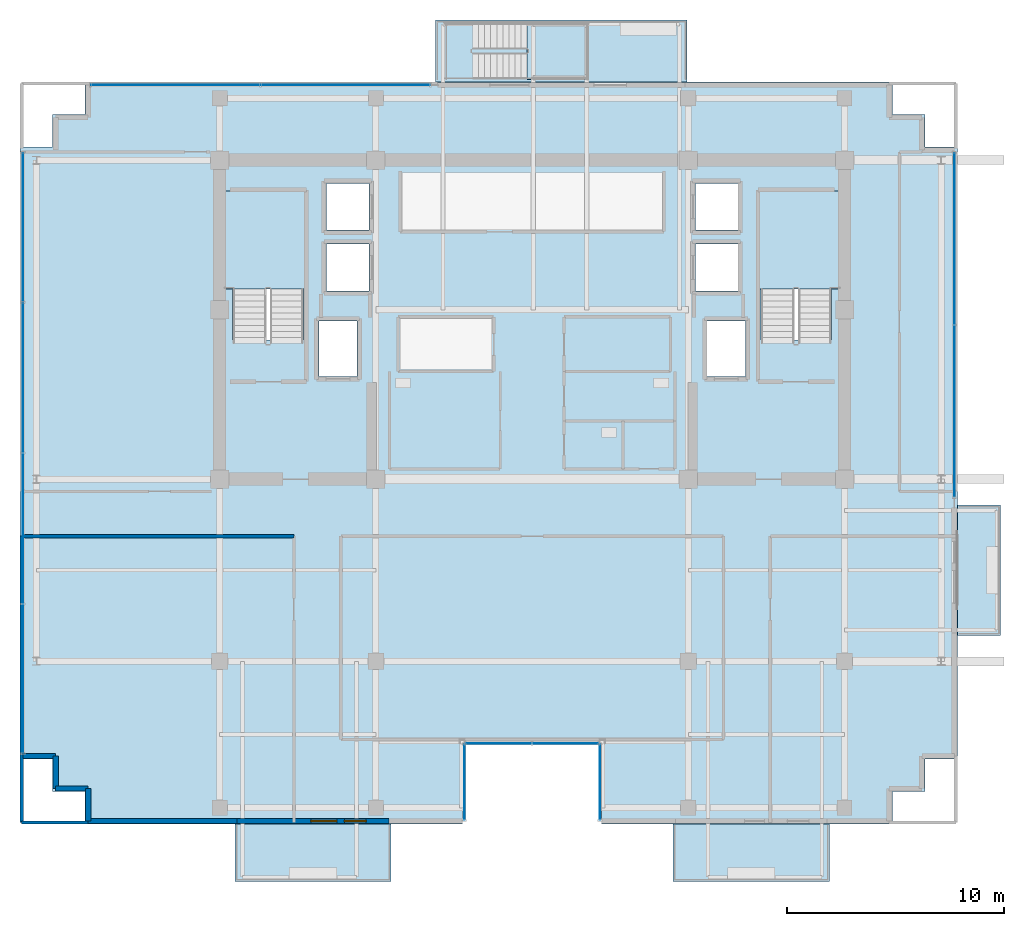
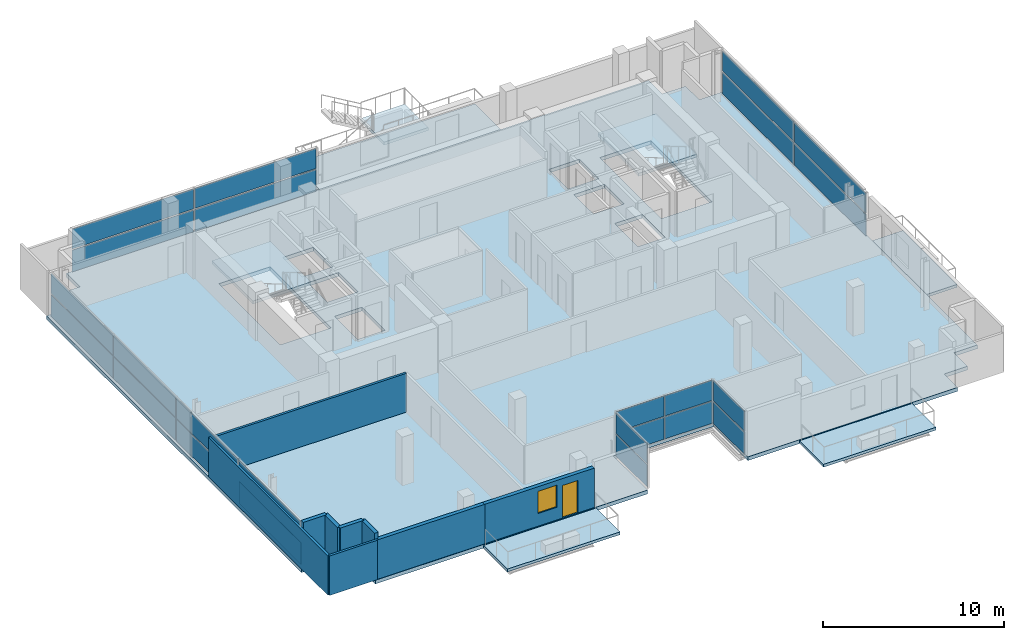
# One storey, part 16 of 24: 24 plates, 9 walls, 8 slabs, 1 door, 1 window, 2 openings, 9 elements without a shape of their own.
"""IFC4 building model written with IfcOpenShell, lengths in metres."""

from ifc_helpers import new_model, si_unit, direction, frame, frame_2d, origin, origin_2d, place, context, subcontext, project, spatial, polyline, rectangle, outline, extrude, source, transform, mapped, material, layer, layer_set, type_object, element, fill, aggregate, save


model = new_model("IFC4")

# Units and contexts
model_context = context("Model", 3, precision=1e-05, world=origin(), true_north=direction((0.0, 1.0)))
body_context = subcontext(model_context, "Body", "Model", "MODEL_VIEW")
ifc_project = project(units=[si_unit("LENGTHUNIT", "METRE"), si_unit("AREAUNIT", "SQUARE_METRE"), si_unit("VOLUMEUNIT", "CUBIC_METRE"), si_unit("PLANEANGLEUNIT", "RADIAN"), si_unit("MASSUNIT", "GRAM", prefix="KILO")], contexts=[model_context])

# Site, building, storey
site_placement = place(None, origin())
site = spatial("IfcSite", under=ifc_project, at=site_placement, CompositionType="ELEMENT")
building_placement = place(site_placement, origin())
building = spatial("IfcBuilding", under=site, at=building_placement, Name="Zarnakvel Exchange Tower", CompositionType="ELEMENT")
storey_placement = place(building_placement, frame((0.0, 0.0, 205.60009765625)))
storey = spatial("IfcBuildingStorey", under=building, at=storey_placement, Name="L57", CompositionType="ELEMENT", Elevation=205.60009765625)

# Stair, slab
ifc_material_1 = material(Name="Concrete C40/50", Category="concrete")
stair_type_1 = type_object("IfcStairType", Name="STR-01", PredefinedType="HALF_TURN_STAIR", material=ifc_material_1)
stair_1_placement = place(storey_placement, origin())
stair_1 = element("IfcStair", 1, at=stair_1_placement, inside=storey, type_object=stair_type_1, Name="L57 Protected Core Exit Stair ST-01", PredefinedType="HALF_TURN_STAIR")
ifc_layer_1 = layer(ifc_material_1, 0.199951171875)
ifc_layer_set_1 = layer_set([ifc_layer_1], Name="Concrete C40/50")
slab_type_1 = type_object("IfcSlabType", Name="LDG-01", PredefinedType="LANDING", material=ifc_layer_set_1)
slab_1_placement = place(storey_placement, frame((0.0, 0.0, 1.449951171875)))
slab_1 = element("IfcSlab", 2, at=slab_1_placement, type_object=slab_type_1, Name="ST-01 landing 1", PredefinedType="LANDING", context=body_context, shape_type="SweptSolid", body=[
    extrude(outline(polyline([(-14.18994140625, 7.570068359375), (-10.4599609375, 7.570068359375), (-10.4599609375, 12.080078125), (-14.18994140625, 12.080078125), (-14.18994140625, 7.570068359375)])), origin(), (0.0, 0.0, 1.0), 0.199951171875),
])
aggregate(stair_1, [slab_1])

stair_2_placement = place(storey_placement, origin())
stair_2 = element("IfcStair", 3, at=stair_2_placement, inside=storey, type_object=stair_type_1, Name="L57 Protected Core Exit Stair ST-02", PredefinedType="HALF_TURN_STAIR")
slab_2_placement = place(storey_placement, frame((0.0, 0.0, 1.449951171875)))
slab_2 = element("IfcSlab", 4, at=slab_2_placement, type_object=slab_type_1, Name="ST-02 landing 1", PredefinedType="LANDING", context=body_context, shape_type="SweptSolid", body=[
    extrude(outline(polyline([(10.4599609375, 7.570068359375), (14.18994140625, 7.570068359375), (14.18994140625, 12.080078125), (10.4599609375, 12.080078125), (10.4599609375, 7.570068359375)])), origin(), (0.0, 0.0, 1.0), 0.199951171875),
])
aggregate(stair_2, [slab_2])

stair_type_2 = type_object("IfcStairType", Name="STR-05", PredefinedType="HALF_TURN_STAIR", material=ifc_material_1)
stair_3_placement = place(storey_placement, origin())
stair_3 = element("IfcStair", 5, at=stair_3_placement, inside=storey, type_object=stair_type_2, Name="L57 Spiral Sky-Terrace Connecting Stair ST-13", PredefinedType="HALF_TURN_STAIR")
slab_3_placement = place(storey_placement, frame((0.0, 0.0, 1.449951171875)))
slab_3 = element("IfcSlab", 6, at=slab_3_placement, type_object=slab_type_1, Name="ST-13 landing 1", PredefinedType="LANDING", context=body_context, shape_type="SweptSolid", body=[
    extrude(outline(polyline([(-0.22998046875, 17.219970703125), (2.60009765625, 17.219970703125), (2.60009765625, 19.840087890625), (-0.22998046875, 19.840087890625), (-0.22998046875, 17.219970703125)])), origin(), (0.0, 0.0, 1.0), 0.199951171875),
])
aggregate(stair_3, [slab_3])

# Slabs
ifc_layer_2 = layer(ifc_material_1, 0.25)
ifc_layer_set_2 = layer_set([ifc_layer_2], Name="Concrete C40/50")
slab_type_2 = type_object("IfcSlabType", Name="SL-03", PredefinedType="FLOOR", material=ifc_layer_set_2)
slab_4_placement = place(storey_placement, frame((0.0, 0.0, -0.25)))
element("IfcSlab", 7, at=slab_4_placement, inside=storey, type_object=slab_type_2, Name="L57 Primary Structural Floor Slab", PredefinedType="FLOOR", context=body_context, shape_type="SweptSolid", body=[
    extrude(outline(polyline([(-23.60009765625, -14.10009765625), (-22.10009765625, -14.10009765625), (-22.10009765625, -15.60009765625), (-20.60009765625, -15.60009765625), (-20.60009765625, -17.10009765625), (-3.199951171875, -17.10009765625), (-3.199951171875, -13.300048828125), (3.199951171875, -13.300048828125), (3.199951171875, -17.10009765625), (16.60009765625, -17.10009765625), (16.60009765625, -15.60009765625), (18.10009765625, -15.60009765625), (18.10009765625, -14.10009765625), (19.60009765625, -14.10009765625), (19.60009765625, 14.10009765625), (18.10009765625, 14.10009765625), (18.10009765625, 15.60009765625), (16.60009765625, 15.60009765625), (16.60009765625, 17.10009765625), (-20.60009765625, 17.10009765625), (-20.60009765625, 15.60009765625), (-22.10009765625, 15.60009765625), (-22.10009765625, 14.10009765625), (-23.60009765625, 14.10009765625), (-23.60009765625, -14.10009765625)]), holes=[polyline([(-13.800048828125, 5.2099609375), (-10.5400390625, 5.2099609375), (-10.5400390625, 12.0), (-13.800048828125, 12.0), (-13.800048828125, 5.2099609375)]), polyline([(10.5400390625, 5.2099609375), (13.800048828125, 5.2099609375), (13.800048828125, 12.0), (10.5400390625, 12.0), (10.5400390625, 5.2099609375)]), polyline([(-9.830078125, 3.52001953125), (-8.070068359375, 3.52001953125), (-8.070068359375, 6.080078125), (-9.830078125, 6.080078125), (-9.830078125, 3.52001953125)]), polyline([(8.070068359375, 3.52001953125), (9.830078125, 3.52001953125), (9.830078125, 6.080078125), (8.070068359375, 6.080078125), (8.070068359375, 3.52001953125)]), polyline([(-9.47998046875, 7.469970703125), (-7.52001953125, 7.469970703125), (-7.52001953125, 9.6298828125), (-9.47998046875, 9.6298828125), (-9.47998046875, 7.469970703125)]), polyline([(-9.47998046875, 10.27001953125), (-7.52001953125, 10.27001953125), (-7.52001953125, 12.429931640625), (-9.47998046875, 12.429931640625), (-9.47998046875, 10.27001953125)]), polyline([(7.52001953125, 7.469970703125), (9.47998046875, 7.469970703125), (9.47998046875, 9.6298828125), (7.52001953125, 9.6298828125), (7.52001953125, 7.469970703125)]), polyline([(7.52001953125, 10.27001953125), (9.47998046875, 10.27001953125), (9.47998046875, 12.429931640625), (7.52001953125, 12.429931640625), (7.52001953125, 10.27001953125)])]), origin(), (0.0, 0.0, 1.0), 0.25),
])
ifc_layer_3 = layer(ifc_material_1, 0.25)
ifc_layer_set_3 = layer_set([ifc_layer_3], Name="Concrete C40/50")
slab_type_3 = type_object("IfcSlabType", Name="SL-07", PredefinedType="ROOF", material=ifc_layer_set_3)
slab_5_placement = place(storey_placement, frame((0.0, 0.0, -0.25)))
element("IfcSlab", 8, at=slab_5_placement, inside=storey, type_object=slab_type_3, Name="L57 Spiral Sky-Terrace Outdoor Slab (NE)", PredefinedType="ROOF", context=body_context, shape_type="SweptSolid", body=[
    extrude(outline(polyline([(-4.449951171875, 17.10009765625), (7.14990234375, 17.10009765625), (7.14990234375, 19.9599609375), (-4.449951171875, 19.9599609375), (-4.449951171875, 17.10009765625)])), origin(), (0.0, 0.0, 1.0), 0.25),
])
ifc_layer_4 = layer(ifc_material_1, 0.18994140625)
ifc_layer_set_4 = layer_set([ifc_layer_4], Name="Concrete C40/50")
slab_type_4 = type_object("IfcSlabType", Name="SL-08", PredefinedType="USERDEFINED", material=ifc_layer_set_4)
slab_6_placement = place(storey_placement, frame((0.0, 0.0, -0.25)))
element("IfcSlab", 9, at=slab_6_placement, inside=storey, type_object=slab_type_4, Name="L57 Planted Loggia Balcony Slab BAL-L57-SW", ObjectType="BALCONY", PredefinedType="USERDEFINED", context=body_context, shape_type="SweptSolid", body=[
    extrude(outline(polyline([(-13.699951171875, -19.75), (-6.5, -19.75), (-6.5, -17.10009765625), (-13.699951171875, -17.10009765625), (-13.699951171875, -19.75)])), origin(), (0.0, 0.0, 1.0), 0.18994140625),
])
slab_7_placement = place(storey_placement, frame((0.0, 0.0, -0.25)))
element("IfcSlab", 10, at=slab_7_placement, inside=storey, type_object=slab_type_4, Name="L57 Planted Loggia Balcony Slab BAL-L57-SE", ObjectType="BALCONY", PredefinedType="USERDEFINED", context=body_context, shape_type="SweptSolid", body=[
    extrude(outline(polyline([(6.5, -19.75), (13.699951171875, -19.75), (13.699951171875, -17.10009765625), (6.5, -17.10009765625), (6.5, -19.75)])), origin(), (0.0, 0.0, 1.0), 0.18994140625),
])
slab_8_placement = place(storey_placement, frame((0.0, 0.0, -0.25)))
element("IfcSlab", 11, at=slab_8_placement, inside=storey, type_object=slab_type_4, Name="L57 Planted Loggia Balcony Slab BAL-L57-E", ObjectType="BALCONY", PredefinedType="USERDEFINED", context=body_context, shape_type="SweptSolid", body=[
    extrude(outline(polyline([(19.60009765625, -8.39990234375), (21.60009765625, -8.39990234375), (21.60009765625, -2.39990234375), (19.60009765625, -2.39990234375), (19.60009765625, -8.39990234375)])), origin(), (0.0, 0.0, 1.0), 0.18994140625),
])

# Curtain wall, plate
ifc_material_2 = material(Name="Architectural Bronze Anodised Aluminium", Category="aluminium")
ifc_layer_5 = layer(ifc_material_2, 0.179931640625)
ifc_layer_set_5 = layer_set([ifc_layer_5], Name="Architectural Bronze Anodised Aluminium")
curtain_wall_type_1 = type_object("IfcCurtainWallType", Name="CW-05", PredefinedType="NOTDEFINED", material=ifc_layer_set_5)
curtain_wall_1_placement = place(storey_placement, origin())
curtain_wall_1 = element("IfcCurtainWall", 12, at=curtain_wall_1_placement, inside=storey, type_object=curtain_wall_type_1, Name="L57 Curtain Wall CW-L57-SLW (CW-05)", PredefinedType="NOTDEFINED")
ifc_material_3 = material(Name="Double Low-E Laminated Vision Glass", Category="glass")
ifc_layer_6 = layer(ifc_material_3, 0.02587890625)
ifc_layer_set_6 = layer_set([ifc_layer_6], Name="Double Low-E Laminated Vision Glass")
plate_type_1 = type_object("IfcPlateType", Name="CWP-05", PredefinedType="CURTAIN_PANEL", material=ifc_layer_set_6)
shared_shape_1 = source(origin(), body_context, "Body", "SweptSolid", [
    extrude(rectangle(XDim=3.4599609375, YDim=0.02587890625, at=origin_2d()), origin(), (0.0, 0.0, 1.0), 1.483642578125),
])
plate_1_placement = place(storey_placement, frame((-3.1201171875, -15.179931640625, 0.06982421875), z_axis=(0.0, 0.0, 1.0), x_axis=(0.0, 1.0, 0.0)))
plate_1 = element("IfcPlate", 13, at=plate_1_placement, type_object=plate_type_1, Name="CW-05 panel 1.1", PredefinedType="CURTAIN_PANEL", context=body_context, shape_type="MappedRepresentation", body=[
    mapped(shared_shape_1, transform((0.0, 0.0, 0.0), x_axis=(1.0, 0.0, 0.0), y_axis=(0.0, 1.0, 0.0), z_axis=(0.0, 0.0, 1.0), scale=1.0)),
])

curtain_wall_2_placement = place(storey_placement, origin())
curtain_wall_2 = element("IfcCurtainWall", 14, at=curtain_wall_2_placement, inside=storey, type_object=curtain_wall_type_1, Name="L57 Curtain Wall CW-L57-SLE (CW-05)", PredefinedType="NOTDEFINED")
plate_2_placement = place(storey_placement, frame((3.1201171875, -15.179931640625, 0.06982421875), z_axis=(0.0, 0.0, 1.0), x_axis=(0.0, -1.0, 0.0)))
plate_2 = element("IfcPlate", 15, at=plate_2_placement, type_object=plate_type_1, Name="CW-05 panel 1.1", PredefinedType="CURTAIN_PANEL", context=body_context, shape_type="MappedRepresentation", body=[
    mapped(shared_shape_1, transform((0.0, 0.0, 0.0), x_axis=(1.0, 0.0, 0.0), y_axis=(0.0, 1.0, 0.0), z_axis=(0.0, 0.0, 1.0), scale=1.0)),
])

# Plate
shared_shape_2 = source(origin(), body_context, "Body", "SweptSolid", [
    extrude(rectangle(XDim=3.4599609375, YDim=0.02587890625, at=origin_2d()), origin(), (0.0, 0.0, 1.0), 1.361328125),
])
plate_3_placement = place(storey_placement, frame((-3.1201171875, -15.179931640625, 1.62353515625), z_axis=(0.0, 0.0, 1.0), x_axis=(0.0, 1.0, 0.0)))
plate_3 = element("IfcPlate", 16, at=plate_3_placement, type_object=plate_type_1, Name="CW-05 panel 1.2", PredefinedType="CURTAIN_PANEL", context=body_context, shape_type="MappedRepresentation", body=[
    mapped(shared_shape_2, transform((0.0, 0.0, 0.0), x_axis=(1.0, 0.0, 0.0), y_axis=(0.0, 1.0, 0.0), z_axis=(0.0, 0.0, 1.0), scale=1.0)),
])

aggregate(curtain_wall_1, [plate_1, plate_3])

plate_4_placement = place(storey_placement, frame((3.1201171875, -15.179931640625, 1.62353515625), z_axis=(0.0, 0.0, 1.0), x_axis=(0.0, -1.0, 0.0)))
plate_4 = element("IfcPlate", 17, at=plate_4_placement, type_object=plate_type_1, Name="CW-05 panel 1.2", PredefinedType="CURTAIN_PANEL", context=body_context, shape_type="MappedRepresentation", body=[
    mapped(shared_shape_2, transform((0.0, 0.0, 0.0), x_axis=(1.0, 0.0, 0.0), y_axis=(0.0, 1.0, 0.0), z_axis=(0.0, 0.0, 1.0), scale=1.0)),
])

aggregate(curtain_wall_2, [plate_2, plate_4])

# Curtain wall, plates
curtain_wall_3_placement = place(storey_placement, origin())
curtain_wall_3 = element("IfcCurtainWall", 18, at=curtain_wall_3_placement, inside=storey, type_object=curtain_wall_type_1, Name="L57 Curtain Wall CW-L57-SLB (CW-05)", PredefinedType="NOTDEFINED")
shared_shape_3 = source(origin(), body_context, "Body", "SweptSolid", [
    extrude(rectangle(XDim=3.014892578125, YDim=0.02587890625, at=origin_2d()), origin(), (0.0, 0.0, 1.0), 1.483642578125),
])
plate_5_placement = place(storey_placement, frame((-1.54248046875, -13.3798828125, 0.06982421875), z_axis=(0.0, 0.0, 1.0), x_axis=(1.0, 0.0, 0.0)))
plate_5 = element("IfcPlate", 19, at=plate_5_placement, type_object=plate_type_1, Name="CW-05 panel 1.1", PredefinedType="CURTAIN_PANEL", context=body_context, shape_type="MappedRepresentation", body=[
    mapped(shared_shape_3, transform((0.0, 0.0, 0.0), x_axis=(1.0, 0.0, 0.0), y_axis=(0.0, 1.0, 0.0), z_axis=(0.0, 0.0, 1.0), scale=1.0)),
])
plate_6_placement = place(storey_placement, frame((1.54248046875, -13.3798828125, 0.06982421875), z_axis=(0.0, 0.0, 1.0), x_axis=(1.0, 0.0, 0.0)))
plate_6 = element("IfcPlate", 20, at=plate_6_placement, type_object=plate_type_1, Name="CW-05 panel 2.1", PredefinedType="CURTAIN_PANEL", context=body_context, shape_type="MappedRepresentation", body=[
    mapped(shared_shape_3, transform((0.0, 0.0, 0.0), x_axis=(1.0, 0.0, 0.0), y_axis=(0.0, 1.0, 0.0), z_axis=(0.0, 0.0, 1.0), scale=1.0)),
])
shared_shape_4 = source(origin(), body_context, "Body", "SweptSolid", [
    extrude(rectangle(XDim=3.014892578125, YDim=0.02587890625, at=origin_2d()), origin(), (0.0, 0.0, 1.0), 1.361328125),
])
plate_7_placement = place(storey_placement, frame((-1.54248046875, -13.3798828125, 1.62353515625), z_axis=(0.0, 0.0, 1.0), x_axis=(1.0, 0.0, 0.0)))
plate_7 = element("IfcPlate", 21, at=plate_7_placement, type_object=plate_type_1, Name="CW-05 panel 1.2", PredefinedType="CURTAIN_PANEL", context=body_context, shape_type="MappedRepresentation", body=[
    mapped(shared_shape_4, transform((0.0, 0.0, 0.0), x_axis=(1.0, 0.0, 0.0), y_axis=(0.0, 1.0, 0.0), z_axis=(0.0, 0.0, 1.0), scale=1.0)),
])
plate_8_placement = place(storey_placement, frame((1.54248046875, -13.3798828125, 1.62353515625), z_axis=(0.0, 0.0, 1.0), x_axis=(1.0, 0.0, 0.0)))
plate_8 = element("IfcPlate", 22, at=plate_8_placement, type_object=plate_type_1, Name="CW-05 panel 2.2", PredefinedType="CURTAIN_PANEL", context=body_context, shape_type="MappedRepresentation", body=[
    mapped(shared_shape_4, transform((0.0, 0.0, 0.0), x_axis=(1.0, 0.0, 0.0), y_axis=(0.0, 1.0, 0.0), z_axis=(0.0, 0.0, 1.0), scale=1.0)),
])
aggregate(curtain_wall_3, [plate_5, plate_7, plate_6, plate_8])

ifc_layer_7 = layer(ifc_material_2, 0.219970703125)
ifc_layer_set_7 = layer_set([ifc_layer_7], Name="Architectural Bronze Anodised Aluminium")
curtain_wall_type_2 = type_object("IfcCurtainWallType", Name="CW-03", PredefinedType="NOTDEFINED", material=ifc_layer_set_7)
curtain_wall_4_placement = place(storey_placement, origin())
curtain_wall_4 = element("IfcCurtainWall", 23, at=curtain_wall_4_placement, inside=storey, type_object=curtain_wall_type_2, Name="L57 Curtain Wall CW-L57-N1 (CW-03)", PredefinedType="NOTDEFINED")
ifc_layer_8 = layer(ifc_material_3, 0.030029296875)
ifc_layer_set_8 = layer_set([ifc_layer_8], Name="Double Low-E Laminated Vision Glass")
plate_type_2 = type_object("IfcPlateType", Name="CWP-03", PredefinedType="CURTAIN_PANEL", material=ifc_layer_set_8)
shared_shape_5 = source(origin(), body_context, "Body", "SweptSolid", [
    extrude(rectangle(XDim=7.7548828125, YDim=0.030029296875, at=origin_2d()), origin(), (0.0, 0.0, 1.0), 1.468505859375),
])
plate_9_placement = place(storey_placement, frame((-16.4423828125, 16.9599609375, 0.080078125), z_axis=(0.0, 0.0, 1.0), x_axis=(1.0, 0.0, 0.0)))
plate_9 = element("IfcPlate", 24, at=plate_9_placement, type_object=plate_type_2, Name="CW-03 panel 1.1", PredefinedType="CURTAIN_PANEL", context=body_context, shape_type="MappedRepresentation", body=[
    mapped(shared_shape_5, transform((0.0, 0.0, 0.0), x_axis=(1.0, 0.0, 0.0), y_axis=(0.0, 1.0, 0.0), z_axis=(0.0, 0.0, 1.0), scale=1.0)),
])
plate_10_placement = place(storey_placement, frame((-8.607421875, 16.9599609375, 0.080078125), z_axis=(0.0, 0.0, 1.0), x_axis=(1.0, 0.0, 0.0)))
plate_10 = element("IfcPlate", 25, at=plate_10_placement, type_object=plate_type_2, Name="CW-03 panel 2.1", PredefinedType="CURTAIN_PANEL", context=body_context, shape_type="MappedRepresentation", body=[
    mapped(shared_shape_5, transform((0.0, 0.0, 0.0), x_axis=(1.0, 0.0, 0.0), y_axis=(0.0, 1.0, 0.0), z_axis=(0.0, 0.0, 1.0), scale=1.0)),
])
shared_shape_6 = source(origin(), body_context, "Body", "SweptSolid", [
    extrude(rectangle(XDim=7.7548828125, YDim=0.030029296875, at=origin_2d()), origin(), (0.0, 0.0, 1.0), 1.346435546875),
])
plate_11_placement = place(storey_placement, frame((-16.4423828125, 16.9599609375, 1.62841796875), z_axis=(0.0, 0.0, 1.0), x_axis=(1.0, 0.0, 0.0)))
plate_11 = element("IfcPlate", 26, at=plate_11_placement, type_object=plate_type_2, Name="CW-03 panel 1.2", PredefinedType="CURTAIN_PANEL", context=body_context, shape_type="MappedRepresentation", body=[
    mapped(shared_shape_6, transform((0.0, 0.0, 0.0), x_axis=(1.0, 0.0, 0.0), y_axis=(0.0, 1.0, 0.0), z_axis=(0.0, 0.0, 1.0), scale=1.0)),
])
plate_12_placement = place(storey_placement, frame((-8.607421875, 16.9599609375, 1.62841796875), z_axis=(0.0, 0.0, 1.0), x_axis=(1.0, 0.0, 0.0)))
plate_12 = element("IfcPlate", 27, at=plate_12_placement, type_object=plate_type_2, Name="CW-03 panel 2.2", PredefinedType="CURTAIN_PANEL", context=body_context, shape_type="MappedRepresentation", body=[
    mapped(shared_shape_6, transform((0.0, 0.0, 0.0), x_axis=(1.0, 0.0, 0.0), y_axis=(0.0, 1.0, 0.0), z_axis=(0.0, 0.0, 1.0), scale=1.0)),
])
aggregate(curtain_wall_4, [plate_9, plate_11, plate_10, plate_12])

ifc_layer_9 = layer(ifc_material_2, 0.199951171875)
ifc_layer_set_9 = layer_set([ifc_layer_9], Name="Architectural Bronze Anodised Aluminium")
curtain_wall_type_3 = type_object("IfcCurtainWallType", Name="CW-04", PredefinedType="NOTDEFINED", material=ifc_layer_set_9)
curtain_wall_5_placement = place(storey_placement, origin())
curtain_wall_5 = element("IfcCurtainWall", 28, at=curtain_wall_5_placement, inside=storey, type_object=curtain_wall_type_3, Name="L57 Curtain Wall CW-L57-W1 (CW-04)", PredefinedType="NOTDEFINED")
ifc_layer_10 = layer(ifc_material_3, 0.028076171875)
ifc_layer_set_10 = layer_set([ifc_layer_10], Name="Double Low-E Laminated Vision Glass")
plate_type_3 = type_object("IfcPlateType", Name="CWP-04", PredefinedType="CURTAIN_PANEL", material=ifc_layer_set_10)
shared_shape_7 = source(origin(), body_context, "Body", "SweptSolid", [
    extrude(rectangle(XDim=6.83740234375, YDim=0.028076171875, at=origin_2d()), origin(), (0.0, 0.0, 1.0), 1.47607421875),
])
plate_13_placement = place(storey_placement, frame((-23.4599609375, -10.40625, 0.074951171875), z_axis=(0.0, 0.0, 1.0), x_axis=(0.0, 1.0, 0.0)))
plate_13 = element("IfcPlate", 29, at=plate_13_placement, type_object=plate_type_3, Name="CW-04 panel 1.1", PredefinedType="CURTAIN_PANEL", context=body_context, shape_type="MappedRepresentation", body=[
    mapped(shared_shape_7, transform((0.0, 0.0, 0.0), x_axis=(1.0, 0.0, 0.0), y_axis=(0.0, 1.0, 0.0), z_axis=(0.0, 0.0, 1.0), scale=1.0)),
])
plate_14_placement = place(storey_placement, frame((-23.4599609375, 10.40625, 0.074951171875), z_axis=(0.0, 0.0, 1.0), x_axis=(0.0, 1.0, 0.0)))
plate_14 = element("IfcPlate", 30, at=plate_14_placement, type_object=plate_type_3, Name="CW-04 panel 4.1", PredefinedType="CURTAIN_PANEL", context=body_context, shape_type="MappedRepresentation", body=[
    mapped(shared_shape_7, transform((0.0, 0.0, 0.0), x_axis=(1.0, 0.0, 0.0), y_axis=(0.0, 1.0, 0.0), z_axis=(0.0, 0.0, 1.0), scale=1.0)),
])
shared_shape_8 = source(origin(), body_context, "Body", "SweptSolid", [
    extrude(rectangle(XDim=6.83740234375, YDim=0.028076171875, at=origin_2d()), origin(), (0.0, 0.0, 1.0), 1.35400390625),
])
plate_15_placement = place(storey_placement, frame((-23.4599609375, -10.40625, 1.6259765625), z_axis=(0.0, 0.0, 1.0), x_axis=(0.0, 1.0, 0.0)))
plate_15 = element("IfcPlate", 31, at=plate_15_placement, type_object=plate_type_3, Name="CW-04 panel 1.2", PredefinedType="CURTAIN_PANEL", context=body_context, shape_type="MappedRepresentation", body=[
    mapped(shared_shape_8, transform((0.0, 0.0, 0.0), x_axis=(1.0, 0.0, 0.0), y_axis=(0.0, 1.0, 0.0), z_axis=(0.0, 0.0, 1.0), scale=1.0)),
])
plate_16_placement = place(storey_placement, frame((-23.4599609375, 10.40625, 1.6259765625), z_axis=(0.0, 0.0, 1.0), x_axis=(0.0, 1.0, 0.0)))
plate_16 = element("IfcPlate", 32, at=plate_16_placement, type_object=plate_type_3, Name="CW-04 panel 4.2", PredefinedType="CURTAIN_PANEL", context=body_context, shape_type="MappedRepresentation", body=[
    mapped(shared_shape_8, transform((0.0, 0.0, 0.0), x_axis=(1.0, 0.0, 0.0), y_axis=(0.0, 1.0, 0.0), z_axis=(0.0, 0.0, 1.0), scale=1.0)),
])
shared_shape_9 = source(origin(), body_context, "Body", "SweptSolid", [
    extrude(rectangle(XDim=6.875, YDim=0.028076171875, at=origin_2d()), origin(), (0.0, 0.0, 1.0), 1.47607421875),
])
plate_17_placement = place(storey_placement, frame((-23.4599609375, -3.47509765625, 0.074951171875), z_axis=(0.0, 0.0, 1.0), x_axis=(0.0, 1.0, 0.0)))
plate_17 = element("IfcPlate", 33, at=plate_17_placement, type_object=plate_type_3, Name="CW-04 panel 2.1", PredefinedType="CURTAIN_PANEL", context=body_context, shape_type="MappedRepresentation", body=[
    mapped(shared_shape_9, transform((0.0, 0.0, 0.0), x_axis=(1.0, 0.0, 0.0), y_axis=(0.0, 1.0, 0.0), z_axis=(0.0, 0.0, 1.0), scale=1.0)),
])
plate_18_placement = place(storey_placement, frame((-23.4599609375, 3.47509765625, 0.074951171875), z_axis=(0.0, 0.0, 1.0), x_axis=(0.0, 1.0, 0.0)))
plate_18 = element("IfcPlate", 34, at=plate_18_placement, type_object=plate_type_3, Name="CW-04 panel 3.1", PredefinedType="CURTAIN_PANEL", context=body_context, shape_type="MappedRepresentation", body=[
    mapped(shared_shape_9, transform((0.0, 0.0, 0.0), x_axis=(1.0, 0.0, 0.0), y_axis=(0.0, 1.0, 0.0), z_axis=(0.0, 0.0, 1.0), scale=1.0)),
])
shared_shape_10 = source(origin(), body_context, "Body", "SweptSolid", [
    extrude(rectangle(XDim=6.875, YDim=0.028076171875, at=origin_2d()), origin(), (0.0, 0.0, 1.0), 1.35400390625),
])
plate_19_placement = place(storey_placement, frame((-23.4599609375, -3.47509765625, 1.6259765625), z_axis=(0.0, 0.0, 1.0), x_axis=(0.0, 1.0, 0.0)))
plate_19 = element("IfcPlate", 35, at=plate_19_placement, type_object=plate_type_3, Name="CW-04 panel 2.2", PredefinedType="CURTAIN_PANEL", context=body_context, shape_type="MappedRepresentation", body=[
    mapped(shared_shape_10, transform((0.0, 0.0, 0.0), x_axis=(1.0, 0.0, 0.0), y_axis=(0.0, 1.0, 0.0), z_axis=(0.0, 0.0, 1.0), scale=1.0)),
])
plate_20_placement = place(storey_placement, frame((-23.4599609375, 3.47509765625, 1.6259765625), z_axis=(0.0, 0.0, 1.0), x_axis=(0.0, 1.0, 0.0)))
plate_20 = element("IfcPlate", 36, at=plate_20_placement, type_object=plate_type_3, Name="CW-04 panel 3.2", PredefinedType="CURTAIN_PANEL", context=body_context, shape_type="MappedRepresentation", body=[
    mapped(shared_shape_10, transform((0.0, 0.0, 0.0), x_axis=(1.0, 0.0, 0.0), y_axis=(0.0, 1.0, 0.0), z_axis=(0.0, 0.0, 1.0), scale=1.0)),
])
aggregate(curtain_wall_5, [plate_13, plate_15, plate_17, plate_19, plate_18, plate_20, plate_14, plate_16])

curtain_wall_6_placement = place(storey_placement, origin())
curtain_wall_6 = element("IfcCurtainWall", 37, at=curtain_wall_6_placement, inside=storey, type_object=curtain_wall_type_3, Name="L57 Curtain Wall CW-L57-EN (CW-04)", PredefinedType="NOTDEFINED")
shared_shape_11 = source(origin(), body_context, "Body", "SweptSolid", [
    extrude(rectangle(XDim=7.887451171875, YDim=0.028076171875, at=origin_2d()), origin(), (0.0, 0.0, 1.0), 1.47607421875),
])
plate_21_placement = place(storey_placement, frame((19.4599609375, 1.918701171875, 0.074951171875), z_axis=(0.0, 0.0, 1.0), x_axis=(0.0, 1.0, 0.0)))
plate_21 = element("IfcPlate", 38, at=plate_21_placement, type_object=plate_type_3, Name="CW-04 panel 1.1", PredefinedType="CURTAIN_PANEL", context=body_context, shape_type="MappedRepresentation", body=[
    mapped(shared_shape_11, transform((0.0, 0.0, 0.0), x_axis=(1.0, 0.0, 0.0), y_axis=(0.0, 1.0, 0.0), z_axis=(0.0, 0.0, 1.0), scale=1.0)),
])
plate_22_placement = place(storey_placement, frame((19.4599609375, 9.88134765625, 0.074951171875), z_axis=(0.0, 0.0, 1.0), x_axis=(0.0, 1.0, 0.0)))
plate_22 = element("IfcPlate", 39, at=plate_22_placement, type_object=plate_type_3, Name="CW-04 panel 2.1", PredefinedType="CURTAIN_PANEL", context=body_context, shape_type="MappedRepresentation", body=[
    mapped(shared_shape_11, transform((0.0, 0.0, 0.0), x_axis=(1.0, 0.0, 0.0), y_axis=(0.0, 1.0, 0.0), z_axis=(0.0, 0.0, 1.0), scale=1.0)),
])
shared_shape_12 = source(origin(), body_context, "Body", "SweptSolid", [
    extrude(rectangle(XDim=7.887451171875, YDim=0.028076171875, at=origin_2d()), origin(), (0.0, 0.0, 1.0), 1.35400390625),
])
plate_23_placement = place(storey_placement, frame((19.4599609375, 1.918701171875, 1.6259765625), z_axis=(0.0, 0.0, 1.0), x_axis=(0.0, 1.0, 0.0)))
plate_23 = element("IfcPlate", 40, at=plate_23_placement, type_object=plate_type_3, Name="CW-04 panel 1.2", PredefinedType="CURTAIN_PANEL", context=body_context, shape_type="MappedRepresentation", body=[
    mapped(shared_shape_12, transform((0.0, 0.0, 0.0), x_axis=(1.0, 0.0, 0.0), y_axis=(0.0, 1.0, 0.0), z_axis=(0.0, 0.0, 1.0), scale=1.0)),
])
plate_24_placement = place(storey_placement, frame((19.4599609375, 9.88134765625, 1.6259765625), z_axis=(0.0, 0.0, 1.0), x_axis=(0.0, 1.0, 0.0)))
plate_24 = element("IfcPlate", 41, at=plate_24_placement, type_object=plate_type_3, Name="CW-04 panel 2.2", PredefinedType="CURTAIN_PANEL", context=body_context, shape_type="MappedRepresentation", body=[
    mapped(shared_shape_12, transform((0.0, 0.0, 0.0), x_axis=(1.0, 0.0, 0.0), y_axis=(0.0, 1.0, 0.0), z_axis=(0.0, 0.0, 1.0), scale=1.0)),
])
aggregate(curtain_wall_6, [plate_21, plate_23, plate_22, plate_24])

# Wall, openings, door, window
ifc_material_4 = material(Name="Precast concrete C40/50", Category="concrete")
ifc_layer_11 = layer(ifc_material_4, 0.239990234375)
ifc_layer_set_11 = layer_set([ifc_layer_11], Name="Precast concrete C40/50")
wall_type_1 = type_object("IfcWallType", Name="EW-02", PredefinedType="SOLIDWALL", material=ifc_layer_set_11)
wall_1_placement = place(storey_placement, frame((-6.60009765625, -16.9599609375, 0.0), z_axis=(0.0, 0.0, 1.0), x_axis=(-1.0, 0.0, 0.0)))
wall_1 = element("IfcWall", 42, at=wall_1_placement, inside=storey, type_object=wall_type_1, Name="L57 Exterior Precast Spandrel Wall EW-BAL-L57-SW (EW-02)", PredefinedType="SOLIDWALL", context=body_context, shape_type="SweptSolid", body=[
    extrude(rectangle(XDim=7.0, YDim=0.239990234375, at=frame_2d((3.5, 0.0))), origin(), (0.0, 0.0, 1.0), 2.664794921875),
])
opening_1_placement = place(wall_1_placement, frame((1.050048828125, 0.0, 0.0)))
opening_1 = element("IfcOpeningElement", 43, at=opening_1_placement, cuts=wall_1, Name="Opening BD-L57-01", PredefinedType="OPENING", context=body_context, shape_type="SweptSolid", body=[
    extrude(rectangle(XDim=1.0, YDim=2.199951171875, at=frame_2d((0.5, 1.10009765625))), frame((0.0, 0.1298828125, 0.0), z_axis=(0.0, -1.0, 0.0), x_axis=(1.0, 0.0, 0.0)), (0.0, 0.0, 1.0), 0.260009765625),
])
opening_2_placement = place(wall_1_placement, frame((2.39990234375, 0.0, 0.85009765625)))
opening_2 = element("IfcOpeningElement", 44, at=opening_2_placement, cuts=wall_1, Name="Opening WN-04", PredefinedType="OPENING", context=body_context, shape_type="SweptSolid", body=[
    extrude(rectangle(XDim=1.199951171875, YDim=1.5, at=frame_2d((0.60009765625, 0.75))), frame((0.0, 0.1298828125, 0.0), z_axis=(0.0, -1.0, 0.0), x_axis=(1.0, 0.0, 0.0)), (0.0, 0.0, 1.0), 0.260009765625),
])
door_type = type_object("IfcDoorType", Name="DT-09", OperationType="NOTDEFINED", PredefinedType="DOOR", material=ifc_material_2)
shared_shape_13 = source(origin(), body_context, "Body", "SweptSolid", [
    extrude(rectangle(XDim=1.0, YDim=2.199951171875, at=frame_2d((0.5, 1.10009765625))), frame((0.0, 0.02490234375, 0.0), z_axis=(0.0, -1.0, 0.0), x_axis=(1.0, 0.0, 0.0)), (0.0, 0.0, 1.0), 0.050048828125),
])
door_placement = place(opening_1_placement, origin())
door = element("IfcDoor", 45, at=door_placement, inside=storey, type_object=door_type, Name="L57 Planted Loggia Balcony Door BD-L57-01", OperationType="SINGLE_SWING_LEFT", OverallHeight=2.199951171875, OverallWidth=1.0, PredefinedType="DOOR", context=body_context, shape_type="MappedRepresentation", body=[
    mapped(shared_shape_13, transform((0.0, 0.0, 0.0), x_axis=(1.0, 0.0, 0.0), y_axis=(0.0, 1.0, 0.0), z_axis=(0.0, 0.0, 1.0), scale=1.0)),
])
fill(opening_1, door)
window_type = type_object("IfcWindowType", Name="WN-04", PartitioningType="SINGLE_PANEL", PredefinedType="WINDOW", material=ifc_material_3)
shared_shape_14 = source(origin(), body_context, "Body", "SweptSolid", [
    extrude(rectangle(XDim=1.199951171875, YDim=1.5, at=frame_2d((0.60009765625, 0.75))), frame((0.0, 0.030029296875, 0.0), z_axis=(0.0, -1.0, 0.0), x_axis=(1.0, 0.0, 0.0)), (0.0, 0.0, 1.0), 0.06005859375),
])
window_placement = place(opening_2_placement, origin())
window = element("IfcWindow", 46, at=window_placement, inside=storey, type_object=window_type, Name="L57 Loggia Daylight Window (WN-04)", OverallHeight=1.5, OverallWidth=1.199951171875, PartitioningType="SINGLE_PANEL", PredefinedType="WINDOW", context=body_context, shape_type="MappedRepresentation", body=[
    mapped(shared_shape_14, transform((0.0, 0.0, 0.0), x_axis=(1.0, 0.0, 0.0), y_axis=(0.0, 1.0, 0.0), z_axis=(0.0, 0.0, 1.0), scale=1.0)),
])
fill(opening_2, window)

# Walls
wall_2_placement = place(storey_placement, frame((-20.4599609375, -16.9599609375, 0.0), z_axis=(0.0, 0.0, 1.0), x_axis=(1.0, 0.0, 0.0)))
element("IfcWall", 47, at=wall_2_placement, inside=storey, type_object=wall_type_1, Name="L57 Exterior Precast Spandrel Wall EWC-L57-24 (EW-02)", PredefinedType="SOLIDWALL", context=body_context, shape_type="SweptSolid", body=[
    extrude(rectangle(XDim=6.85986328125, YDim=0.239990234375, at=frame_2d((3.429931640625, 0.0))), origin(), (0.0, 0.0, 1.0), 2.664794921875),
])
for number, where, z_axis, x_axis, name in (
    (48, (-20.4599609375, -15.4599609375, 0.0), (0.0, 0.0, 1.0), (0.0, -1.0, 0.0), "L57 Exterior Precast Spandrel Wall EWC-L57-25 (EW-02)"),
    (49, (-21.9599609375, -15.4599609375, 0.0), (0.0, 0.0, 1.0), (1.0, 0.0, 0.0), "L57 Exterior Precast Spandrel Wall EWC-L57-26 (EW-02)"),
    (50, (-21.9599609375, -13.9599609375, 0.0), (0.0, 0.0, 1.0), (0.0, -1.0, 0.0), "L57 Exterior Precast Spandrel Wall EWC-L57-27 (EW-02)"),
    (51, (-23.4599609375, -13.9599609375, 0.0), (0.0, 0.0, 1.0), (1.0, 0.0, 0.0), "L57 Exterior Precast Spandrel Wall EWC-L57-28 (EW-02)"),
):
    element("IfcWall", number, at=place(storey_placement, frame(where, z_axis=z_axis, x_axis=x_axis)), inside=storey, type_object=wall_type_1, Name=name, PredefinedType="SOLIDWALL", context=body_context, shape_type="SweptSolid", body=[
        extrude(rectangle(XDim=1.5, YDim=0.239990234375, at=frame_2d((0.75, 0.0))), origin(), (0.0, 0.0, 1.0), 3.074951171875),
    ])
ifc_material_5 = material(Name="Fire-Rated Gypsum Stud Partition", Category="gypsum")
ifc_layer_12 = layer(ifc_material_5, 0.14990234375)
ifc_layer_set_12 = layer_set([ifc_layer_12], Name="Fire-Rated Gypsum Stud Partition")
wall_type_2 = type_object("IfcWallType", Name="PT-01", PredefinedType="PARTITIONING", material=ifc_layer_set_12)
wall_3_placement = place(storey_placement, frame((-20.4599609375, -17.030029296875, 0.0), z_axis=(0.0, 0.0, 1.0), x_axis=(-1.0, 0.0, 0.0)))
element("IfcWall", 52, at=wall_3_placement, inside=storey, type_object=wall_type_2, Name="L57 Partition Wall PWALL-L57-033 (PT-01)", PredefinedType="PARTITIONING", context=body_context, shape_type="SweptSolid", body=[
    extrude(rectangle(XDim=3.070068359375, YDim=0.14990234375, at=frame_2d((1.53515625, 0.0))), origin(), (0.0, 0.0, 1.0), 2.664794921875),
])
wall_4_placement = place(storey_placement, frame((-23.530029296875, -3.830078125, 0.0), z_axis=(0.0, 0.0, 1.0), x_axis=(1.0, 0.0, 0.0)))
element("IfcWall", 53, at=wall_4_placement, inside=storey, type_object=wall_type_2, Name="L57 Partition Wall PWALL-L57-034 (PT-01)", PredefinedType="PARTITIONING", context=body_context, shape_type="SweptSolid", body=[
    extrude(rectangle(XDim=12.550048828125, YDim=0.14990234375, at=frame_2d((6.27490234375, 0.0))), origin(), (0.0, 0.0, 1.0), 2.614990234375),
])
wall_5_placement = place(storey_placement, frame((-23.530029296875, -17.030029296875, 0.0), z_axis=(0.0, 0.0, 1.0), x_axis=(0.0, 1.0, 0.0)))
element("IfcWall", 54, at=wall_5_placement, inside=storey, type_object=wall_type_2, Name="L57 Partition Wall PWALL-L57-035 (PT-01)", PredefinedType="PARTITIONING", context=body_context, shape_type="SweptSolid", body=[
    extrude(rectangle(XDim=13.199951171875, YDim=0.14990234375, at=frame_2d((6.60009765625, 0.0))), origin(), (0.0, 0.0, 1.0), 2.664794921875),
])

save(model, "model.ifc")
